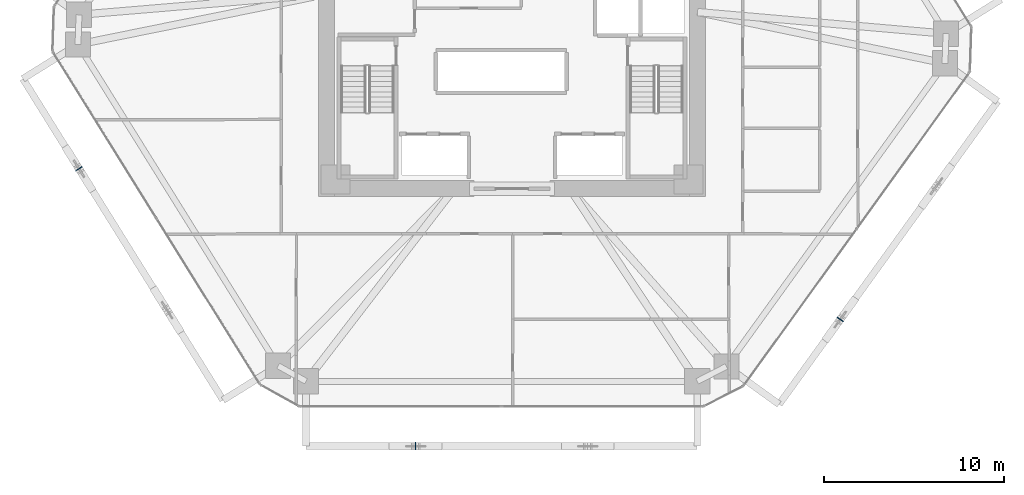
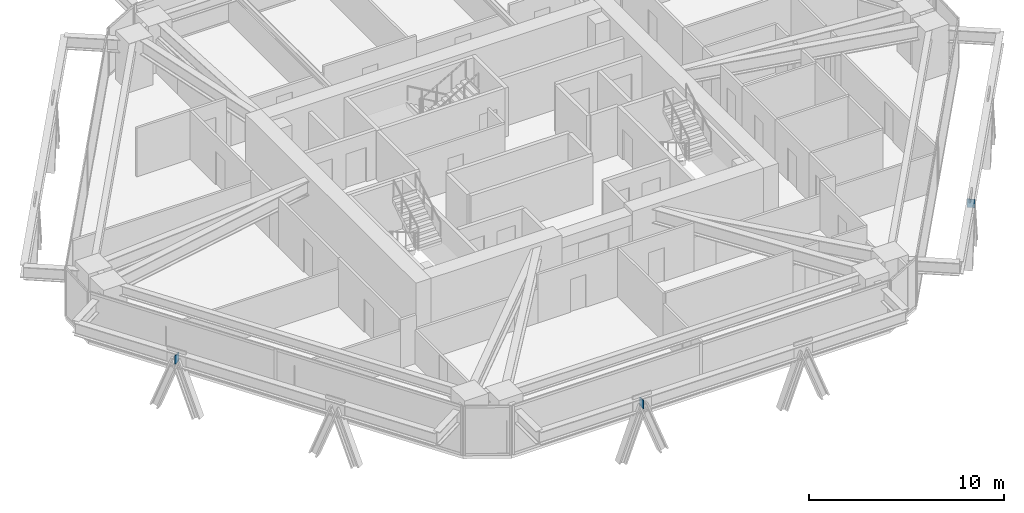
# One storey, part 11 of 17: 3 plates.
"""IFC4 building model written with IfcOpenShell, lengths in metres."""

from ifc_helpers import new_model, si_unit, direction, frame, origin, origin_2d, place, context, subcontext, project, spatial, rectangle, extrude, source, transform, mapped, material, layer, layer_set, type_object, type_shapes, element, save


model = new_model("IFC4")

# Units and contexts
model_context = context("Model", 3, precision=1e-05, world=origin(), true_north=direction((0.0, 1.0)))
body_context = subcontext(model_context, "Body", "Model", "MODEL_VIEW")
ifc_project = project(units=[si_unit("LENGTHUNIT", "METRE"), si_unit("AREAUNIT", "SQUARE_METRE"), si_unit("VOLUMEUNIT", "CUBIC_METRE"), si_unit("PLANEANGLEUNIT", "RADIAN"), si_unit("MASSUNIT", "GRAM", prefix="KILO")], contexts=[model_context])

# Site, building, storey
site_placement = place(None, origin())
site = spatial("IfcSite", under=ifc_project, at=site_placement, CompositionType="ELEMENT")
building_placement = place(site_placement, origin())
building = spatial("IfcBuilding", under=site, at=building_placement, Name="Durnholm Broadcast Tower", CompositionType="ELEMENT")
storey_placement = place(building_placement, frame((0.0, 0.0, 72.0)))
storey = spatial("IfcBuildingStorey", under=building, at=storey_placement, Name="L18", CompositionType="ELEMENT", Elevation=72.0)

# Plates
ifc_material = material(Name="Steel ASTM A572 Grade 50", Category="steel")
ifc_layer = layer(ifc_material, 0.044921875)
ifc_layer_set = layer_set([ifc_layer], Name="Steel ASTM A572 Grade 50")
plate_type = type_object("IfcPlateType", Name="PLT-KN-STIF", PredefinedType="SHEET", material=ifc_layer_set)
shared_shape = source(origin(), body_context, "Body", "SweptSolid", [
    extrude(rectangle(XDim=0.044921875, YDim=0.419921875, at=origin_2d()), origin(), (0.0, 0.0, 1.0), 0.52001953125),
])
type_shapes(plate_type, [shared_shape])
for number, where, z_axis, x_axis, name in (
    (1, (-5.351318359375, -22.60009765625, 2.048583984375), (0.0, 0.0, 1.0), (1.0, 0.0, 0.0), "L18 welded diagrid node stiffener plate F1"),
    (2, (18.223388671875, -15.56396484375, 2.048583984375), (0.0, 0.0, 1.0), (0.584816108738, 0.81116590101, 0.0), "L18 welded diagrid node stiffener plate F2"),
    (3, (-24.036376953125, -7.197509765625, 2.048583984375), (0.0, 0.0, 1.0), (0.528586500185, -0.848879444811, 0.0), "L18 welded diagrid node stiffener plate F6"),
):
    element("IfcPlate", number, at=place(storey_placement, frame(where, z_axis=z_axis, x_axis=x_axis)), inside=storey, type_object=plate_type, Name=name, PredefinedType="SHEET", context=body_context, shape_type="MappedRepresentation", body=[
        mapped(shared_shape, transform((0.0, 0.0, 0.0), x_axis=(1.0, 0.0, 0.0), y_axis=(0.0, 1.0, 0.0), z_axis=(0.0, 0.0, 1.0), scale=1.0)),
    ])

save(model, "model.ifc")
